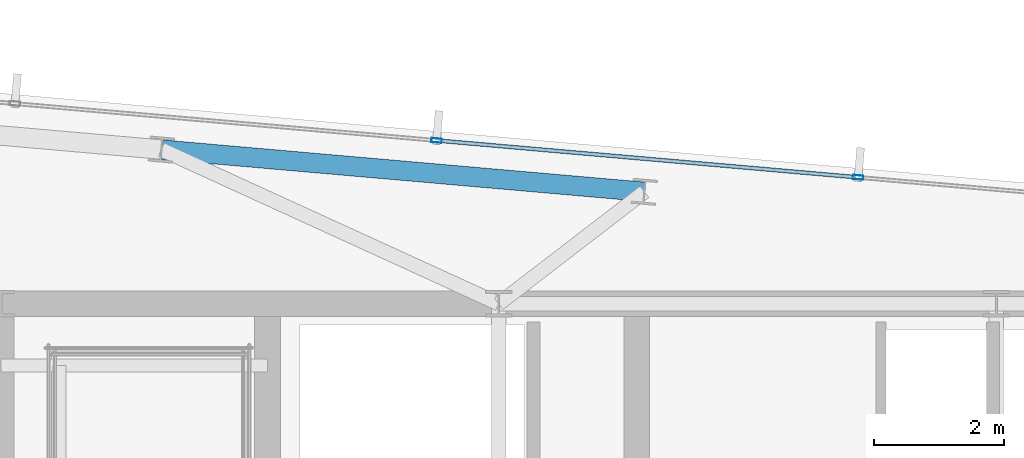
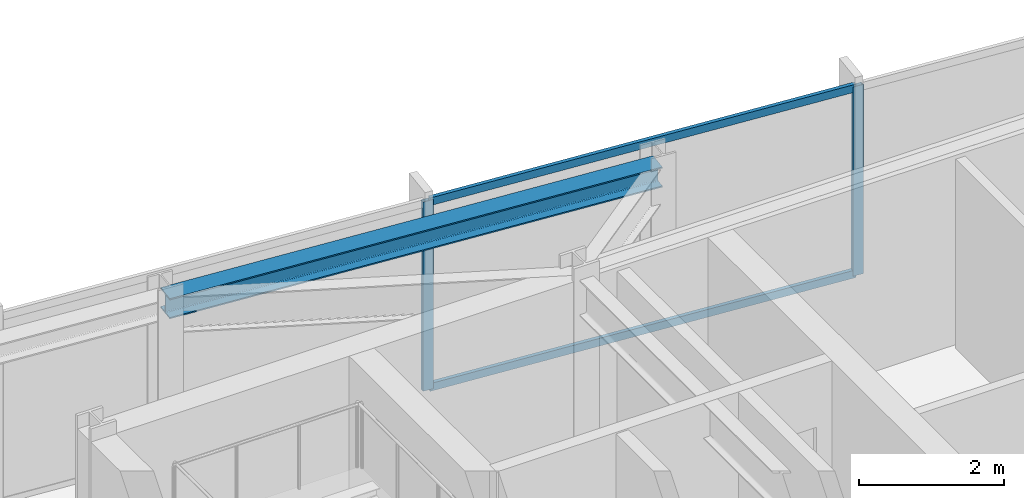
# One storey, part 25 of 33: 4 members, 1 beam, 1 element without a shape of its own.
"""IFC4 building model written with IfcOpenShell, lengths in metres."""

from ifc_helpers import new_model, si_unit, direction, frame, origin, origin_2d, place, context, subcontext, project, spatial, hollow_rectangle, i_section, extrude, material, material_profile, profile_set, type_object, element, aggregate, save


model = new_model("IFC4")

# Units and contexts
model_context = context("Model", 3, precision=1e-05, world=origin(), true_north=direction((0.0, 1.0)))
body_context = subcontext(model_context, "Body", "Model", "MODEL_VIEW")
ifc_project = project(units=[si_unit("LENGTHUNIT", "METRE"), si_unit("AREAUNIT", "SQUARE_METRE"), si_unit("VOLUMEUNIT", "CUBIC_METRE"), si_unit("PLANEANGLEUNIT", "RADIAN"), si_unit("MASSUNIT", "GRAM", prefix="KILO")], contexts=[model_context])

# Site, building, storey
site_placement = place(None, origin())
site = spatial("IfcSite", under=ifc_project, at=site_placement, CompositionType="ELEMENT")
building_placement = place(site_placement, origin())
building = spatial("IfcBuilding", under=site, at=building_placement, Name="Yelkora Congress Tower", CompositionType="ELEMENT")
storey_placement = place(building_placement, frame((0.0, 0.0, 282.89990234375)))
storey = spatial("IfcBuildingStorey", under=building, at=storey_placement, Name="L79", CompositionType="ELEMENT", Elevation=282.89990234375)

# Beam
ifc_material_1 = material(Name="Steel S355J2", Category="steel")
ifc_material_profile_1 = material_profile(ifc_material_1, i_section(OverallWidth=0.300048828125, OverallDepth=0.340087890625, WebThickness=0.011962890625, FlangeThickness=0.021484375, FilletRadius=0.027099609375, at=origin_2d()), Name="HEB 340")
ifc_profile_set_1 = profile_set([ifc_material_profile_1], Name="Steel S355J2")
beam_type = type_object("IfcBeamType", Name="BM-SPAN-HEB340", PredefinedType="SPANDREL", material=ifc_profile_set_1)
beam_placement = place(storey_placement, frame((32.968505859375, 47.927490234375, 3.010009765625), z_axis=(-0.996195771192, 0.087143476284, 0.0), x_axis=(-0.087143476284, -0.996195771192, 0.0)))
element("IfcBeam", 1, at=beam_placement, inside=storey, type_object=beam_type, Name="L79 Perimeter Beam 10", PredefinedType="SPANDREL", context=body_context, shape_type="SweptSolid", body=[
    extrude(i_section(OverallWidth=0.300048828125, OverallDepth=0.340087890625, WebThickness=0.011962890625, FlangeThickness=0.021484375, FilletRadius=0.027099609375, at=origin_2d()), origin(), (0.0, 0.0, 1.0), 7.483154296875),
])

# Curtain wall, members
ifc_material_2 = material(Name="Anodised aluminium and insulated glass", Category="aluminium")
curtain_wall_type = type_object("IfcCurtainWallType", Name="CW-SYS-B5", PredefinedType="NOTDEFINED", material=ifc_material_2)
curtain_wall_placement = place(storey_placement, origin())
curtain_wall = element("IfcCurtainWall", 2, at=curtain_wall_placement, inside=storey, type_object=curtain_wall_type, Name="L79 Unitised Curtain Wall 10", PredefinedType="NOTDEFINED")
ifc_material_3 = material(Name="Anodised aluminium 6063-T6", Category="aluminium")
ifc_material_profile_2 = material_profile(ifc_material_3, hollow_rectangle(XDim=0.06494140625, YDim=0.159912109375, WallThickness=0.00390625, at=origin_2d()), Name="ALU 65x160x4")
ifc_profile_set_2 = profile_set([ifc_material_profile_2], Name="Anodised aluminium 6063-T6")
member_type_1 = type_object("IfcMemberType", Name="MEM-ML-B5", PredefinedType="MULLION", material=ifc_profile_set_2)
member_1_placement = place(storey_placement, frame((29.759765625, 48.719970703125, 0.0), z_axis=(0.0, 0.0, 1.0), x_axis=(0.087156639893, 0.996194619601, 0.0)))
member_1 = element("IfcMember", 3, at=member_1_placement, type_object=member_type_1, Name="CW-B5 mullion 4", PredefinedType="MULLION", context=body_context, shape_type="SweptSolid", body=[
    extrude(hollow_rectangle(XDim=0.06494140625, YDim=0.159912109375, WallThickness=0.00390625, at=origin_2d()), origin(), (0.0, 0.0, 1.0), 3.18017578125),
])
member_2_placement = place(storey_placement, frame((36.266357421875, 48.15087890625, 0.0), z_axis=(0.0, 0.0, 1.0), x_axis=(0.087156639893, 0.996194619601, 0.0)))
member_2 = element("IfcMember", 4, at=member_2_placement, type_object=member_type_1, Name="CW-B5 mullion 5", PredefinedType="MULLION", context=body_context, shape_type="SweptSolid", body=[
    extrude(hollow_rectangle(XDim=0.06494140625, YDim=0.159912109375, WallThickness=0.00390625, at=origin_2d()), origin(), (0.0, 0.0, 1.0), 3.18017578125),
])
ifc_material_profile_3 = material_profile(ifc_material_3, hollow_rectangle(XDim=0.06005859375, YDim=0.1298828125, WallThickness=0.00390625, at=origin_2d()), Name="ALU 60x130x4")
ifc_profile_set_3 = profile_set([ifc_material_profile_3], Name="Anodised aluminium 6063-T6")
member_type_2 = type_object("IfcMemberType", Name="MEM-TR-B5", PredefinedType="USERDEFINED", material=ifc_profile_set_3)
member_3_placement = place(storey_placement, frame((29.7919921875, 48.71728515625, 0.030029296875), z_axis=(0.996192979814, -0.08717538052, 0.0), x_axis=(0.08717538052, 0.996192979814, 0.0)))
member_3 = element("IfcMember", 5, at=member_3_placement, type_object=member_type_2, Name="CW-B5 transom 4.1", ObjectType="TRANSOM", PredefinedType="USERDEFINED", context=body_context, shape_type="SweptSolid", body=[
    extrude(hollow_rectangle(XDim=0.06005859375, YDim=0.1298828125, WallThickness=0.00390625, at=origin_2d()), origin(), (0.0, 0.0, 1.0), 6.466552734375),
])
member_4_placement = place(storey_placement, frame((29.7919921875, 48.71728515625, 3.150146484375), z_axis=(0.996192979814, -0.08717538052, 0.0), x_axis=(0.08717538052, 0.996192979814, 0.0)))
member_4 = element("IfcMember", 6, at=member_4_placement, type_object=member_type_2, Name="CW-B5 transom 4.2", ObjectType="TRANSOM", PredefinedType="USERDEFINED", context=body_context, shape_type="SweptSolid", body=[
    extrude(hollow_rectangle(XDim=0.06005859375, YDim=0.1298828125, WallThickness=0.00390625, at=origin_2d()), origin(), (0.0, 0.0, 1.0), 6.466552734375),
])
aggregate(curtain_wall, [member_1, member_2, member_3, member_4])

save(model, "model.ifc")
